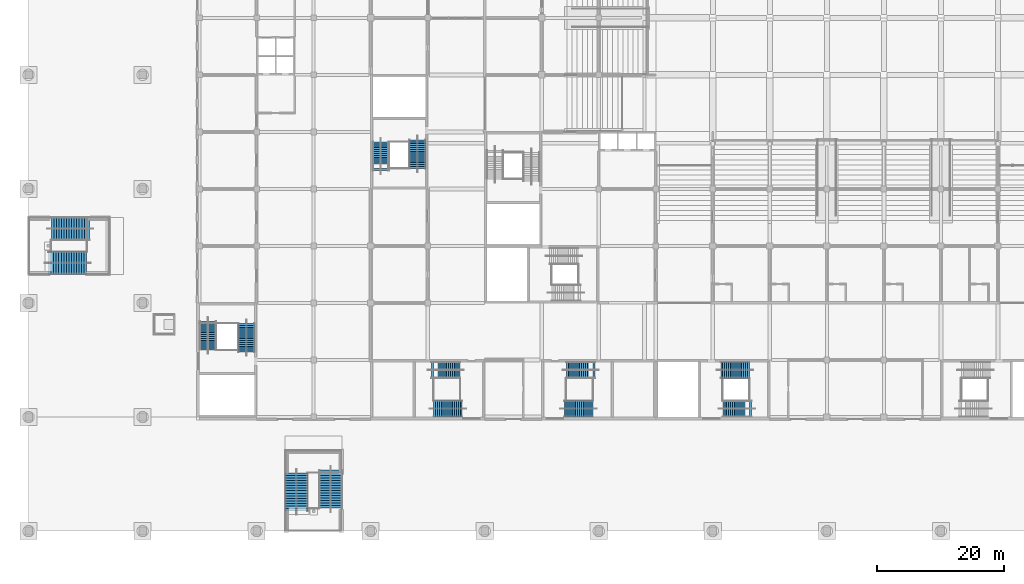
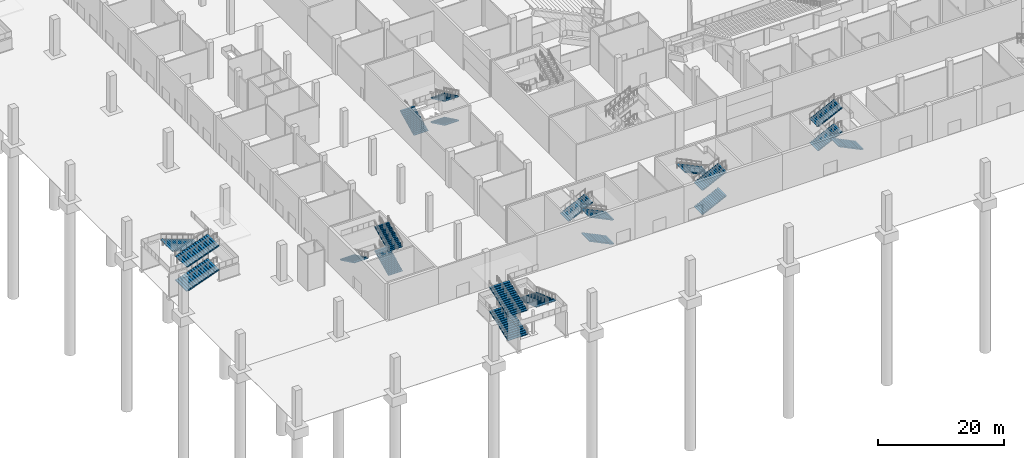
# One storey, part 42 of 92: 21 stair flights, 7 elements without a shape of their own.
"""IFC4 building model written with IfcOpenShell, lengths in metres."""

from ifc_helpers import new_model, si_unit, direction, frame, origin, place, context, subcontext, project, spatial, polyline, outline, extrude, material, type_object, element, aggregate, save


model = new_model("IFC4")

# Units and contexts
model_context = context("Model", 3, precision=1e-05, world=origin(), true_north=direction((0.0, 1.0)))
body_context = subcontext(model_context, "Body", "Model", "MODEL_VIEW")
ifc_project = project(units=[si_unit("LENGTHUNIT", "METRE"), si_unit("AREAUNIT", "SQUARE_METRE"), si_unit("VOLUMEUNIT", "CUBIC_METRE"), si_unit("PLANEANGLEUNIT", "RADIAN"), si_unit("MASSUNIT", "GRAM", prefix="KILO")], contexts=[model_context])

# Site, building, storey
site_placement = place(None, origin())
site = spatial("IfcSite", under=ifc_project, at=site_placement, CompositionType="ELEMENT")
building_placement = place(site_placement, origin())
building = spatial("IfcBuilding", under=site, at=building_placement, Name="Silverbay Arena", CompositionType="ELEMENT")
storey_placement = place(building_placement, origin())
storey = spatial("IfcBuildingStorey", under=building, at=storey_placement, Name="L00", CompositionType="ELEMENT", Elevation=0.0)

# Stair, stair flights
ifc_material_1 = material(Name="Concrete Grade C45", Category="concrete")
stair_type_1 = type_object("IfcStairType", Name="Stair 2600 wide 48 risers 145.8 x 300", PredefinedType="HALF_TURN_STAIR", material=ifc_material_1)
stair_1_placement = place(storey_placement, origin())
stair_1 = element("IfcStair", 1, at=stair_1_placement, inside=storey, type_object=stair_type_1, Name="Stair ST-S1 L00 to L01", PredefinedType="HALF_TURN_STAIR")
ifc_material_2 = material(Name="Concrete Grade C45", Category="concrete")
stair_flight_type_1 = type_object("IfcStairFlightType", Name="Stair flight 2600 wide 16 risers 145.8 x 300", PredefinedType="STRAIGHT", material=ifc_material_2)
stair_flight_1_placement = place(storey_placement, frame((84.556884765625, 19.300048828125, 0.0), z_axis=(0.0, 0.0, 1.0), x_axis=(1.0, 0.0, 0.0)))
stair_flight_1 = element("IfcStairFlight", 2, at=stair_flight_1_placement, type_object=stair_flight_type_1, Name="Stair ST-S1 L00 to L01 flight 1", NumberOfRisers=16, NumberOfTreads=15, PredefinedType="STRAIGHT", RiserHeight=0.145833333, TreadLength=0.3, context=body_context, shape_type="SweptSolid", body=[
    extrude(outline(polyline([(0.0, 0.0), (0.0, 0.145751953125), (0.300048828125, 0.145751953125), (0.300048828125, 0.291748046875), (0.60009765625, 0.291748046875), (0.60009765625, 0.4375), (0.89990234375, 0.4375), (0.89990234375, 0.583251953125), (1.199951171875, 0.583251953125), (1.199951171875, 0.729248046875), (1.5, 0.729248046875), (1.5, 0.875), (1.800048828125, 0.875), (1.800048828125, 1.020751953125), (2.10009765625, 1.020751953125), (2.10009765625, 1.166748046875), (2.39990234375, 1.166748046875), (2.39990234375, 1.3125), (2.699951171875, 1.3125), (2.699951171875, 1.458251953125), (3.0, 1.458251953125), (3.0, 1.604248046875), (3.300048828125, 1.604248046875), (3.300048828125, 1.75), (3.60009765625, 1.75), (3.60009765625, 1.895751953125), (3.89990234375, 1.895751953125), (3.89990234375, 2.041748046875), (4.199951171875, 2.041748046875), (4.199951171875, 2.1875), (4.5, 2.1875), (4.5, 2.020751953125), (0.3427734375, 0.0), (0.0, 0.0)])), frame((0.0, 1.300048828125, 0.0), z_axis=(0.0, -1.0, 0.0), x_axis=(1.0, 0.0, 0.0)), (0.0, 0.0, 1.0), 2.60009765625),
])
stair_flight_2_placement = place(storey_placement, frame((89.39990234375, 25.39990234375, 2.333251953125), z_axis=(0.0, 0.0, 1.0), x_axis=(-1.0, 0.0, 0.0)))
stair_flight_2 = element("IfcStairFlight", 3, at=stair_flight_2_placement, type_object=stair_flight_type_1, Name="Stair ST-S1 L00 to L01 flight 2", NumberOfRisers=16, NumberOfTreads=15, PredefinedType="STRAIGHT", RiserHeight=0.145833333, TreadLength=0.3, context=body_context, shape_type="SweptSolid", body=[
    extrude(outline(polyline([(0.0, 0.0), (0.0, 0.145751953125), (0.300048828125, 0.145751953125), (0.300048828125, 0.291748046875), (0.60009765625, 0.291748046875), (0.60009765625, 0.4375), (0.89990234375, 0.4375), (0.89990234375, 0.583251953125), (1.199951171875, 0.583251953125), (1.199951171875, 0.729248046875), (1.5, 0.729248046875), (1.5, 0.875), (1.800048828125, 0.875), (1.800048828125, 1.020751953125), (2.10009765625, 1.020751953125), (2.10009765625, 1.166748046875), (2.39990234375, 1.166748046875), (2.39990234375, 1.3125), (2.699951171875, 1.3125), (2.699951171875, 1.458251953125), (3.0, 1.458251953125), (3.0, 1.604248046875), (3.300048828125, 1.604248046875), (3.300048828125, 1.75), (3.60009765625, 1.75), (3.60009765625, 1.895751953125), (3.89990234375, 1.895751953125), (3.89990234375, 2.041748046875), (4.199951171875, 2.041748046875), (4.199951171875, 2.1875), (4.5, 2.1875), (4.5, 2.020751953125), (0.3427734375, 0.0), (0.0, 0.0)])), frame((0.0, 1.300048828125, 0.0), z_axis=(0.0, -1.0, 0.0), x_axis=(1.0, 0.0, 0.0)), (0.0, 0.0, 1.0), 2.60009765625),
])
stair_flight_3_placement = place(storey_placement, frame((84.556884765625, 19.300048828125, 4.666748046875), z_axis=(0.0, 0.0, 1.0), x_axis=(1.0, 0.0, 0.0)))
stair_flight_3 = element("IfcStairFlight", 4, at=stair_flight_3_placement, type_object=stair_flight_type_1, Name="Stair ST-S1 L00 to L01 flight 3", NumberOfRisers=16, NumberOfTreads=15, PredefinedType="STRAIGHT", RiserHeight=0.145833333, TreadLength=0.3, context=body_context, shape_type="SweptSolid", body=[
    extrude(outline(polyline([(0.0, 0.0), (0.0, 0.145751953125), (0.300048828125, 0.145751953125), (0.300048828125, 0.291748046875), (0.60009765625, 0.291748046875), (0.60009765625, 0.4375), (0.89990234375, 0.4375), (0.89990234375, 0.583251953125), (1.199951171875, 0.583251953125), (1.199951171875, 0.729248046875), (1.5, 0.729248046875), (1.5, 0.875), (1.800048828125, 0.875), (1.800048828125, 1.020751953125), (2.10009765625, 1.020751953125), (2.10009765625, 1.166748046875), (2.39990234375, 1.166748046875), (2.39990234375, 1.3125), (2.699951171875, 1.3125), (2.699951171875, 1.458251953125), (3.0, 1.458251953125), (3.0, 1.604248046875), (3.300048828125, 1.604248046875), (3.300048828125, 1.75), (3.60009765625, 1.75), (3.60009765625, 1.895751953125), (3.89990234375, 1.895751953125), (3.89990234375, 2.041748046875), (4.199951171875, 2.041748046875), (4.199951171875, 2.1875), (4.5, 2.1875), (4.5, 2.020751953125), (0.3427734375, 0.0), (0.0, 0.0)])), frame((0.0, 1.300048828125, 0.0), z_axis=(0.0, -1.0, 0.0), x_axis=(1.0, 0.0, 0.0)), (0.0, 0.0, 1.0), 2.60009765625),
])
aggregate(stair_1, [stair_flight_1, stair_flight_2, stair_flight_3])

stair_2_placement = place(storey_placement, origin())
stair_2 = element("IfcStair", 5, at=stair_2_placement, inside=storey, type_object=stair_type_1, Name="Stair ST-S2 L00 to L01", PredefinedType="HALF_TURN_STAIR")
stair_flight_4_placement = place(storey_placement, frame((109.2568359375, 25.39990234375, 0.0), z_axis=(0.0, 0.0, 1.0), x_axis=(1.0, 0.0, 0.0)))
stair_flight_4 = element("IfcStairFlight", 6, at=stair_flight_4_placement, type_object=stair_flight_type_1, Name="Stair ST-S2 L00 to L01 flight 1", NumberOfRisers=16, NumberOfTreads=15, PredefinedType="STRAIGHT", RiserHeight=0.145833333, TreadLength=0.3, context=body_context, shape_type="SweptSolid", body=[
    extrude(outline(polyline([(0.0, 0.0), (0.0, 0.145751953125), (0.300048828125, 0.145751953125), (0.300048828125, 0.291748046875), (0.60009765625, 0.291748046875), (0.60009765625, 0.4375), (0.89990234375, 0.4375), (0.89990234375, 0.583251953125), (1.199951171875, 0.583251953125), (1.199951171875, 0.729248046875), (1.5, 0.729248046875), (1.5, 0.875), (1.800048828125, 0.875), (1.800048828125, 1.020751953125), (2.10009765625, 1.020751953125), (2.10009765625, 1.166748046875), (2.39990234375, 1.166748046875), (2.39990234375, 1.3125), (2.699951171875, 1.3125), (2.699951171875, 1.458251953125), (3.0, 1.458251953125), (3.0, 1.604248046875), (3.300048828125, 1.604248046875), (3.300048828125, 1.75), (3.60009765625, 1.75), (3.60009765625, 1.895751953125), (3.89990234375, 1.895751953125), (3.89990234375, 2.041748046875), (4.199951171875, 2.041748046875), (4.199951171875, 2.1875), (4.5, 2.1875), (4.5, 2.020751953125), (0.3427734375, 0.0), (0.0, 0.0)])), frame((0.0, 1.300048828125, 0.0), z_axis=(0.0, -1.0, 0.0), x_axis=(1.0, 0.0, 0.0)), (0.0, 0.0, 1.0), 2.60009765625),
])
stair_flight_5_placement = place(storey_placement, frame((114.10009765625, 19.300048828125, 2.333251953125), z_axis=(0.0, 0.0, 1.0), x_axis=(-1.0, 0.0, 0.0)))
stair_flight_5 = element("IfcStairFlight", 7, at=stair_flight_5_placement, type_object=stair_flight_type_1, Name="Stair ST-S2 L00 to L01 flight 2", NumberOfRisers=16, NumberOfTreads=15, PredefinedType="STRAIGHT", RiserHeight=0.145833333, TreadLength=0.3, context=body_context, shape_type="SweptSolid", body=[
    extrude(outline(polyline([(0.0, 0.0), (0.0, 0.145751953125), (0.300048828125, 0.145751953125), (0.300048828125, 0.291748046875), (0.60009765625, 0.291748046875), (0.60009765625, 0.4375), (0.89990234375, 0.4375), (0.89990234375, 0.583251953125), (1.199951171875, 0.583251953125), (1.199951171875, 0.729248046875), (1.5, 0.729248046875), (1.5, 0.875), (1.800048828125, 0.875), (1.800048828125, 1.020751953125), (2.10009765625, 1.020751953125), (2.10009765625, 1.166748046875), (2.39990234375, 1.166748046875), (2.39990234375, 1.3125), (2.699951171875, 1.3125), (2.699951171875, 1.458251953125), (3.0, 1.458251953125), (3.0, 1.604248046875), (3.300048828125, 1.604248046875), (3.300048828125, 1.75), (3.60009765625, 1.75), (3.60009765625, 1.895751953125), (3.89990234375, 1.895751953125), (3.89990234375, 2.041748046875), (4.199951171875, 2.041748046875), (4.199951171875, 2.1875), (4.5, 2.1875), (4.5, 2.020751953125), (0.3427734375, 0.0), (0.0, 0.0)])), frame((0.0, 1.300048828125, 0.0), z_axis=(0.0, -1.0, 0.0), x_axis=(1.0, 0.0, 0.0)), (0.0, 0.0, 1.0), 2.60009765625),
])
stair_flight_6_placement = place(storey_placement, frame((109.2568359375, 25.39990234375, 4.666748046875), z_axis=(0.0, 0.0, 1.0), x_axis=(1.0, 0.0, 0.0)))
stair_flight_6 = element("IfcStairFlight", 8, at=stair_flight_6_placement, type_object=stair_flight_type_1, Name="Stair ST-S2 L00 to L01 flight 3", NumberOfRisers=16, NumberOfTreads=15, PredefinedType="STRAIGHT", RiserHeight=0.145833333, TreadLength=0.3, context=body_context, shape_type="SweptSolid", body=[
    extrude(outline(polyline([(0.0, 0.0), (0.0, 0.145751953125), (0.300048828125, 0.145751953125), (0.300048828125, 0.291748046875), (0.60009765625, 0.291748046875), (0.60009765625, 0.4375), (0.89990234375, 0.4375), (0.89990234375, 0.583251953125), (1.199951171875, 0.583251953125), (1.199951171875, 0.729248046875), (1.5, 0.729248046875), (1.5, 0.875), (1.800048828125, 0.875), (1.800048828125, 1.020751953125), (2.10009765625, 1.020751953125), (2.10009765625, 1.166748046875), (2.39990234375, 1.166748046875), (2.39990234375, 1.3125), (2.699951171875, 1.3125), (2.699951171875, 1.458251953125), (3.0, 1.458251953125), (3.0, 1.604248046875), (3.300048828125, 1.604248046875), (3.300048828125, 1.75), (3.60009765625, 1.75), (3.60009765625, 1.895751953125), (3.89990234375, 1.895751953125), (3.89990234375, 2.041748046875), (4.199951171875, 2.041748046875), (4.199951171875, 2.1875), (4.5, 2.1875), (4.5, 2.020751953125), (0.3427734375, 0.0), (0.0, 0.0)])), frame((0.0, 1.300048828125, 0.0), z_axis=(0.0, -1.0, 0.0), x_axis=(1.0, 0.0, 0.0)), (0.0, 0.0, 1.0), 2.60009765625),
])
aggregate(stair_2, [stair_flight_4, stair_flight_5, stair_flight_6])

stair_3_placement = place(storey_placement, origin())
stair_3 = element("IfcStair", 9, at=stair_3_placement, inside=storey, type_object=stair_type_1, Name="Stair ST-S5 L00 to L01", PredefinedType="HALF_TURN_STAIR")
stair_flight_7_placement = place(storey_placement, frame((68.443115234375, 19.300048828125, 0.0), z_axis=(0.0, 0.0, 1.0), x_axis=(-1.0, 0.0, 0.0)))
stair_flight_7 = element("IfcStairFlight", 10, at=stair_flight_7_placement, type_object=stair_flight_type_1, Name="Stair ST-S5 L00 to L01 flight 1", NumberOfRisers=16, NumberOfTreads=15, PredefinedType="STRAIGHT", RiserHeight=0.145833333, TreadLength=0.3, context=body_context, shape_type="SweptSolid", body=[
    extrude(outline(polyline([(0.0, 0.0), (0.0, 0.145751953125), (0.300048828125, 0.145751953125), (0.300048828125, 0.291748046875), (0.60009765625, 0.291748046875), (0.60009765625, 0.4375), (0.89990234375, 0.4375), (0.89990234375, 0.583251953125), (1.199951171875, 0.583251953125), (1.199951171875, 0.729248046875), (1.5, 0.729248046875), (1.5, 0.875), (1.800048828125, 0.875), (1.800048828125, 1.020751953125), (2.10009765625, 1.020751953125), (2.10009765625, 1.166748046875), (2.39990234375, 1.166748046875), (2.39990234375, 1.3125), (2.699951171875, 1.3125), (2.699951171875, 1.458251953125), (3.0, 1.458251953125), (3.0, 1.604248046875), (3.300048828125, 1.604248046875), (3.300048828125, 1.75), (3.60009765625, 1.75), (3.60009765625, 1.895751953125), (3.89990234375, 1.895751953125), (3.89990234375, 2.041748046875), (4.199951171875, 2.041748046875), (4.199951171875, 2.1875), (4.5, 2.1875), (4.5, 2.020751953125), (0.3427734375, 0.0), (0.0, 0.0)])), frame((0.0, 1.300048828125, 0.0), z_axis=(0.0, -1.0, 0.0), x_axis=(1.0, 0.0, 0.0)), (0.0, 0.0, 1.0), 2.60009765625),
])
stair_flight_8_placement = place(storey_placement, frame((63.60009765625, 25.39990234375, 2.333251953125), z_axis=(0.0, 0.0, 1.0), x_axis=(1.0, 0.0, 0.0)))
stair_flight_8 = element("IfcStairFlight", 11, at=stair_flight_8_placement, type_object=stair_flight_type_1, Name="Stair ST-S5 L00 to L01 flight 2", NumberOfRisers=16, NumberOfTreads=15, PredefinedType="STRAIGHT", RiserHeight=0.145833333, TreadLength=0.3, context=body_context, shape_type="SweptSolid", body=[
    extrude(outline(polyline([(0.0, 0.0), (0.0, 0.145751953125), (0.300048828125, 0.145751953125), (0.300048828125, 0.291748046875), (0.60009765625, 0.291748046875), (0.60009765625, 0.4375), (0.89990234375, 0.4375), (0.89990234375, 0.583251953125), (1.199951171875, 0.583251953125), (1.199951171875, 0.729248046875), (1.5, 0.729248046875), (1.5, 0.875), (1.800048828125, 0.875), (1.800048828125, 1.020751953125), (2.10009765625, 1.020751953125), (2.10009765625, 1.166748046875), (2.39990234375, 1.166748046875), (2.39990234375, 1.3125), (2.699951171875, 1.3125), (2.699951171875, 1.458251953125), (3.0, 1.458251953125), (3.0, 1.604248046875), (3.300048828125, 1.604248046875), (3.300048828125, 1.75), (3.60009765625, 1.75), (3.60009765625, 1.895751953125), (3.89990234375, 1.895751953125), (3.89990234375, 2.041748046875), (4.199951171875, 2.041748046875), (4.199951171875, 2.1875), (4.5, 2.1875), (4.5, 2.020751953125), (0.3427734375, 0.0), (0.0, 0.0)])), frame((0.0, 1.300048828125, 0.0), z_axis=(0.0, -1.0, 0.0), x_axis=(1.0, 0.0, 0.0)), (0.0, 0.0, 1.0), 2.60009765625),
])
stair_flight_9_placement = place(storey_placement, frame((68.443115234375, 19.300048828125, 4.666748046875), z_axis=(0.0, 0.0, 1.0), x_axis=(-1.0, 0.0, 0.0)))
stair_flight_9 = element("IfcStairFlight", 12, at=stair_flight_9_placement, type_object=stair_flight_type_1, Name="Stair ST-S5 L00 to L01 flight 3", NumberOfRisers=16, NumberOfTreads=15, PredefinedType="STRAIGHT", RiserHeight=0.145833333, TreadLength=0.3, context=body_context, shape_type="SweptSolid", body=[
    extrude(outline(polyline([(0.0, 0.0), (0.0, 0.145751953125), (0.300048828125, 0.145751953125), (0.300048828125, 0.291748046875), (0.60009765625, 0.291748046875), (0.60009765625, 0.4375), (0.89990234375, 0.4375), (0.89990234375, 0.583251953125), (1.199951171875, 0.583251953125), (1.199951171875, 0.729248046875), (1.5, 0.729248046875), (1.5, 0.875), (1.800048828125, 0.875), (1.800048828125, 1.020751953125), (2.10009765625, 1.020751953125), (2.10009765625, 1.166748046875), (2.39990234375, 1.166748046875), (2.39990234375, 1.3125), (2.699951171875, 1.3125), (2.699951171875, 1.458251953125), (3.0, 1.458251953125), (3.0, 1.604248046875), (3.300048828125, 1.604248046875), (3.300048828125, 1.75), (3.60009765625, 1.75), (3.60009765625, 1.895751953125), (3.89990234375, 1.895751953125), (3.89990234375, 2.041748046875), (4.199951171875, 2.041748046875), (4.199951171875, 2.1875), (4.5, 2.1875), (4.5, 2.020751953125), (0.3427734375, 0.0), (0.0, 0.0)])), frame((0.0, 1.300048828125, 0.0), z_axis=(0.0, -1.0, 0.0), x_axis=(1.0, 0.0, 0.0)), (0.0, 0.0, 1.0), 2.60009765625),
])
aggregate(stair_3, [stair_flight_7, stair_flight_8, stair_flight_9])

stair_4_placement = place(storey_placement, origin())
stair_4 = element("IfcStair", 13, at=stair_4_placement, inside=storey, type_object=stair_type_1, Name="Stair ST-W1 L00 to L01", PredefinedType="HALF_TURN_STAIR")
stair_flight_10_placement = place(storey_placement, frame((61.39990234375, 61.7431640625, 0.0), z_axis=(0.0, 0.0, 1.0), x_axis=(0.0, -1.0, 0.0)))
stair_flight_10 = element("IfcStairFlight", 14, at=stair_flight_10_placement, type_object=stair_flight_type_1, Name="Stair ST-W1 L00 to L01 flight 1", NumberOfRisers=16, NumberOfTreads=15, PredefinedType="STRAIGHT", RiserHeight=0.145833333, TreadLength=0.3, context=body_context, shape_type="SweptSolid", body=[
    extrude(outline(polyline([(0.0, 0.0), (0.0, 0.145751953125), (0.300048828125, 0.145751953125), (0.300048828125, 0.291748046875), (0.60009765625, 0.291748046875), (0.60009765625, 0.4375), (0.89990234375, 0.4375), (0.89990234375, 0.583251953125), (1.199951171875, 0.583251953125), (1.199951171875, 0.729248046875), (1.5, 0.729248046875), (1.5, 0.875), (1.800048828125, 0.875), (1.800048828125, 1.020751953125), (2.10009765625, 1.020751953125), (2.10009765625, 1.166748046875), (2.39990234375, 1.166748046875), (2.39990234375, 1.3125), (2.699951171875, 1.3125), (2.699951171875, 1.458251953125), (3.0, 1.458251953125), (3.0, 1.604248046875), (3.300048828125, 1.604248046875), (3.300048828125, 1.75), (3.60009765625, 1.75), (3.60009765625, 1.895751953125), (3.89990234375, 1.895751953125), (3.89990234375, 2.041748046875), (4.199951171875, 2.041748046875), (4.199951171875, 2.1875), (4.5, 2.1875), (4.5, 2.020751953125), (0.3427734375, 0.0), (0.0, 0.0)])), frame((0.0, 1.300048828125, 0.0), z_axis=(0.0, -1.0, 0.0), x_axis=(1.0, 0.0, 0.0)), (0.0, 0.0, 1.0), 2.60009765625),
])
stair_flight_11_placement = place(storey_placement, frame((55.60009765625, 56.89990234375, 2.333251953125), z_axis=(0.0, 0.0, 1.0), x_axis=(0.0, 1.0, 0.0)))
stair_flight_11 = element("IfcStairFlight", 15, at=stair_flight_11_placement, type_object=stair_flight_type_1, Name="Stair ST-W1 L00 to L01 flight 2", NumberOfRisers=16, NumberOfTreads=15, PredefinedType="STRAIGHT", RiserHeight=0.145833333, TreadLength=0.3, context=body_context, shape_type="SweptSolid", body=[
    extrude(outline(polyline([(0.0, 0.0), (0.0, 0.145751953125), (0.300048828125, 0.145751953125), (0.300048828125, 0.291748046875), (0.60009765625, 0.291748046875), (0.60009765625, 0.4375), (0.89990234375, 0.4375), (0.89990234375, 0.583251953125), (1.199951171875, 0.583251953125), (1.199951171875, 0.729248046875), (1.5, 0.729248046875), (1.5, 0.875), (1.800048828125, 0.875), (1.800048828125, 1.020751953125), (2.10009765625, 1.020751953125), (2.10009765625, 1.166748046875), (2.39990234375, 1.166748046875), (2.39990234375, 1.3125), (2.699951171875, 1.3125), (2.699951171875, 1.458251953125), (3.0, 1.458251953125), (3.0, 1.604248046875), (3.300048828125, 1.604248046875), (3.300048828125, 1.75), (3.60009765625, 1.75), (3.60009765625, 1.895751953125), (3.89990234375, 1.895751953125), (3.89990234375, 2.041748046875), (4.199951171875, 2.041748046875), (4.199951171875, 2.1875), (4.5, 2.1875), (4.5, 2.020751953125), (0.3427734375, 0.0), (0.0, 0.0)])), frame((0.0, 1.300048828125, 0.0), z_axis=(0.0, -1.0, 0.0), x_axis=(1.0, 0.0, 0.0)), (0.0, 0.0, 1.0), 2.60009765625),
])
stair_flight_12_placement = place(storey_placement, frame((61.39990234375, 61.7431640625, 4.666748046875), z_axis=(0.0, 0.0, 1.0), x_axis=(0.0, -1.0, 0.0)))
stair_flight_12 = element("IfcStairFlight", 16, at=stair_flight_12_placement, type_object=stair_flight_type_1, Name="Stair ST-W1 L00 to L01 flight 3", NumberOfRisers=16, NumberOfTreads=15, PredefinedType="STRAIGHT", RiserHeight=0.145833333, TreadLength=0.3, context=body_context, shape_type="SweptSolid", body=[
    extrude(outline(polyline([(0.0, 0.0), (0.0, 0.145751953125), (0.300048828125, 0.145751953125), (0.300048828125, 0.291748046875), (0.60009765625, 0.291748046875), (0.60009765625, 0.4375), (0.89990234375, 0.4375), (0.89990234375, 0.583251953125), (1.199951171875, 0.583251953125), (1.199951171875, 0.729248046875), (1.5, 0.729248046875), (1.5, 0.875), (1.800048828125, 0.875), (1.800048828125, 1.020751953125), (2.10009765625, 1.020751953125), (2.10009765625, 1.166748046875), (2.39990234375, 1.166748046875), (2.39990234375, 1.3125), (2.699951171875, 1.3125), (2.699951171875, 1.458251953125), (3.0, 1.458251953125), (3.0, 1.604248046875), (3.300048828125, 1.604248046875), (3.300048828125, 1.75), (3.60009765625, 1.75), (3.60009765625, 1.895751953125), (3.89990234375, 1.895751953125), (3.89990234375, 2.041748046875), (4.199951171875, 2.041748046875), (4.199951171875, 2.1875), (4.5, 2.1875), (4.5, 2.020751953125), (0.3427734375, 0.0), (0.0, 0.0)])), frame((0.0, 1.300048828125, 0.0), z_axis=(0.0, -1.0, 0.0), x_axis=(1.0, 0.0, 0.0)), (0.0, 0.0, 1.0), 2.60009765625),
])
aggregate(stair_4, [stair_flight_10, stair_flight_11, stair_flight_12])

stair_5_placement = place(storey_placement, origin())
stair_5 = element("IfcStair", 17, at=stair_5_placement, inside=storey, type_object=stair_type_1, Name="Stair ST-WG1 L00 to L01", PredefinedType="HALF_TURN_STAIR")
stair_flight_13_placement = place(storey_placement, frame((34.39990234375, 28.2568359375, 0.0), z_axis=(0.0, 0.0, 1.0), x_axis=(0.0, 1.0, 0.0)))
stair_flight_13 = element("IfcStairFlight", 18, at=stair_flight_13_placement, type_object=stair_flight_type_1, Name="Stair ST-WG1 L00 to L01 flight 1", NumberOfRisers=16, NumberOfTreads=15, PredefinedType="STRAIGHT", RiserHeight=0.145833333, TreadLength=0.3, context=body_context, shape_type="SweptSolid", body=[
    extrude(outline(polyline([(0.0, 0.0), (0.0, 0.145751953125), (0.300048828125, 0.145751953125), (0.300048828125, 0.291748046875), (0.60009765625, 0.291748046875), (0.60009765625, 0.4375), (0.89990234375, 0.4375), (0.89990234375, 0.583251953125), (1.199951171875, 0.583251953125), (1.199951171875, 0.729248046875), (1.5, 0.729248046875), (1.5, 0.875), (1.800048828125, 0.875), (1.800048828125, 1.020751953125), (2.10009765625, 1.020751953125), (2.10009765625, 1.166748046875), (2.39990234375, 1.166748046875), (2.39990234375, 1.3125), (2.699951171875, 1.3125), (2.699951171875, 1.458251953125), (3.0, 1.458251953125), (3.0, 1.604248046875), (3.300048828125, 1.604248046875), (3.300048828125, 1.75), (3.60009765625, 1.75), (3.60009765625, 1.895751953125), (3.89990234375, 1.895751953125), (3.89990234375, 2.041748046875), (4.199951171875, 2.041748046875), (4.199951171875, 2.1875), (4.5, 2.1875), (4.5, 2.020751953125), (0.3427734375, 0.0), (0.0, 0.0)])), frame((0.0, 1.300048828125, 0.0), z_axis=(0.0, -1.0, 0.0), x_axis=(1.0, 0.0, 0.0)), (0.0, 0.0, 1.0), 2.60009765625),
])
stair_flight_14_placement = place(storey_placement, frame((28.300048828125, 33.10009765625, 2.333251953125), z_axis=(0.0, 0.0, 1.0), x_axis=(0.0, -1.0, 0.0)))
stair_flight_14 = element("IfcStairFlight", 19, at=stair_flight_14_placement, type_object=stair_flight_type_1, Name="Stair ST-WG1 L00 to L01 flight 2", NumberOfRisers=16, NumberOfTreads=15, PredefinedType="STRAIGHT", RiserHeight=0.145833333, TreadLength=0.3, context=body_context, shape_type="SweptSolid", body=[
    extrude(outline(polyline([(0.0, 0.0), (0.0, 0.145751953125), (0.300048828125, 0.145751953125), (0.300048828125, 0.291748046875), (0.60009765625, 0.291748046875), (0.60009765625, 0.4375), (0.89990234375, 0.4375), (0.89990234375, 0.583251953125), (1.199951171875, 0.583251953125), (1.199951171875, 0.729248046875), (1.5, 0.729248046875), (1.5, 0.875), (1.800048828125, 0.875), (1.800048828125, 1.020751953125), (2.10009765625, 1.020751953125), (2.10009765625, 1.166748046875), (2.39990234375, 1.166748046875), (2.39990234375, 1.3125), (2.699951171875, 1.3125), (2.699951171875, 1.458251953125), (3.0, 1.458251953125), (3.0, 1.604248046875), (3.300048828125, 1.604248046875), (3.300048828125, 1.75), (3.60009765625, 1.75), (3.60009765625, 1.895751953125), (3.89990234375, 1.895751953125), (3.89990234375, 2.041748046875), (4.199951171875, 2.041748046875), (4.199951171875, 2.1875), (4.5, 2.1875), (4.5, 2.020751953125), (0.3427734375, 0.0), (0.0, 0.0)])), frame((0.0, 1.300048828125, 0.0), z_axis=(0.0, -1.0, 0.0), x_axis=(1.0, 0.0, 0.0)), (0.0, 0.0, 1.0), 2.60009765625),
])
stair_flight_15_placement = place(storey_placement, frame((34.39990234375, 28.2568359375, 4.666748046875), z_axis=(0.0, 0.0, 1.0), x_axis=(0.0, 1.0, 0.0)))
stair_flight_15 = element("IfcStairFlight", 20, at=stair_flight_15_placement, type_object=stair_flight_type_1, Name="Stair ST-WG1 L00 to L01 flight 3", NumberOfRisers=16, NumberOfTreads=15, PredefinedType="STRAIGHT", RiserHeight=0.145833333, TreadLength=0.3, context=body_context, shape_type="SweptSolid", body=[
    extrude(outline(polyline([(0.0, 0.0), (0.0, 0.145751953125), (0.300048828125, 0.145751953125), (0.300048828125, 0.291748046875), (0.60009765625, 0.291748046875), (0.60009765625, 0.4375), (0.89990234375, 0.4375), (0.89990234375, 0.583251953125), (1.199951171875, 0.583251953125), (1.199951171875, 0.729248046875), (1.5, 0.729248046875), (1.5, 0.875), (1.800048828125, 0.875), (1.800048828125, 1.020751953125), (2.10009765625, 1.020751953125), (2.10009765625, 1.166748046875), (2.39990234375, 1.166748046875), (2.39990234375, 1.3125), (2.699951171875, 1.3125), (2.699951171875, 1.458251953125), (3.0, 1.458251953125), (3.0, 1.604248046875), (3.300048828125, 1.604248046875), (3.300048828125, 1.75), (3.60009765625, 1.75), (3.60009765625, 1.895751953125), (3.89990234375, 1.895751953125), (3.89990234375, 2.041748046875), (4.199951171875, 2.041748046875), (4.199951171875, 2.1875), (4.5, 2.1875), (4.5, 2.020751953125), (0.3427734375, 0.0), (0.0, 0.0)])), frame((0.0, 1.300048828125, 0.0), z_axis=(0.0, -1.0, 0.0), x_axis=(1.0, 0.0, 0.0)), (0.0, 0.0, 1.0), 2.60009765625),
])
aggregate(stair_5, [stair_flight_13, stair_flight_14, stair_flight_15])

ifc_material_3 = material(Name="Concrete Grade C45", Category="concrete")
stair_type_2 = type_object("IfcStairType", Name="Stair 3600 wide 48 risers 145.8 x 400", PredefinedType="HALF_TURN_STAIR", material=ifc_material_3)
stair_6_placement = place(storey_placement, origin())
stair_6 = element("IfcStair", 21, at=stair_6_placement, inside=storey, type_object=stair_type_2, Name="Deck stair DS1", PredefinedType="HALF_TURN_STAIR")
ifc_material_4 = material(Name="Concrete Grade C45", Category="concrete")
stair_flight_type_2 = type_object("IfcStairFlightType", Name="Stair flight 3600 wide 16 risers 145.8 x 400", PredefinedType="STRAIGHT", material=ifc_material_4)
stair_flight_16_placement = place(storey_placement, frame((3.162109375, 42.300048828125, 0.0), z_axis=(0.0, 0.0, 1.0), x_axis=(1.0, 0.0, 0.0)))
stair_flight_16 = element("IfcStairFlight", 22, at=stair_flight_16_placement, type_object=stair_flight_type_2, Name="Deck stair DS1 flight 1", NumberOfRisers=16, NumberOfTreads=15, PredefinedType="STRAIGHT", RiserHeight=0.145833333, TreadLength=0.4, context=body_context, shape_type="SweptSolid", body=[
    extrude(outline(polyline([(0.0, 0.0), (0.0, 0.145751953125), (0.39990234375, 0.145751953125), (0.39990234375, 0.291748046875), (0.800048828125, 0.291748046875), (0.800048828125, 0.4375), (1.199951171875, 0.4375), (1.199951171875, 0.583251953125), (1.60009765625, 0.583251953125), (1.60009765625, 0.729248046875), (2.0, 0.729248046875), (2.0, 0.875), (2.39990234375, 0.875), (2.39990234375, 1.020751953125), (2.800048828125, 1.020751953125), (2.800048828125, 1.166748046875), (3.199951171875, 1.166748046875), (3.199951171875, 1.3125), (3.60009765625, 1.3125), (3.60009765625, 1.458251953125), (4.0, 1.458251953125), (4.0, 1.604248046875), (4.39990234375, 1.604248046875), (4.39990234375, 1.75), (4.800048828125, 1.75), (4.800048828125, 1.895751953125), (5.199951171875, 1.895751953125), (5.199951171875, 2.041748046875), (5.60009765625, 2.041748046875), (5.60009765625, 2.1875), (6.0, 2.1875), (6.0, 2.02783203125), (0.437744140625, 0.0), (0.0, 0.0)])), frame((0.0, 1.800048828125, 0.0), z_axis=(0.0, -1.0, 0.0), x_axis=(1.0, 0.0, 0.0)), (0.0, 0.0, 1.0), 3.60009765625),
])
stair_flight_17_placement = place(storey_placement, frame((9.60009765625, 47.699951171875, 2.333251953125), z_axis=(0.0, 0.0, 1.0), x_axis=(-1.0, 0.0, 0.0)))
stair_flight_17 = element("IfcStairFlight", 23, at=stair_flight_17_placement, type_object=stair_flight_type_2, Name="Deck stair DS1 flight 2", NumberOfRisers=16, NumberOfTreads=15, PredefinedType="STRAIGHT", RiserHeight=0.145833333, TreadLength=0.4, context=body_context, shape_type="SweptSolid", body=[
    extrude(outline(polyline([(0.0, 0.0), (0.0, 0.145751953125), (0.39990234375, 0.145751953125), (0.39990234375, 0.291748046875), (0.800048828125, 0.291748046875), (0.800048828125, 0.4375), (1.199951171875, 0.4375), (1.199951171875, 0.583251953125), (1.60009765625, 0.583251953125), (1.60009765625, 0.729248046875), (2.0, 0.729248046875), (2.0, 0.875), (2.39990234375, 0.875), (2.39990234375, 1.020751953125), (2.800048828125, 1.020751953125), (2.800048828125, 1.166748046875), (3.199951171875, 1.166748046875), (3.199951171875, 1.3125), (3.60009765625, 1.3125), (3.60009765625, 1.458251953125), (4.0, 1.458251953125), (4.0, 1.604248046875), (4.39990234375, 1.604248046875), (4.39990234375, 1.75), (4.800048828125, 1.75), (4.800048828125, 1.895751953125), (5.199951171875, 1.895751953125), (5.199951171875, 2.041748046875), (5.60009765625, 2.041748046875), (5.60009765625, 2.1875), (6.0, 2.1875), (6.0, 2.02783203125), (0.437744140625, 0.0), (0.0, 0.0)])), frame((0.0, 1.800048828125, 0.0), z_axis=(0.0, -1.0, 0.0), x_axis=(1.0, 0.0, 0.0)), (0.0, 0.0, 1.0), 3.60009765625),
])
stair_flight_18_placement = place(storey_placement, frame((3.162109375, 42.300048828125, 4.666748046875), z_axis=(0.0, 0.0, 1.0), x_axis=(1.0, 0.0, 0.0)))
stair_flight_18 = element("IfcStairFlight", 24, at=stair_flight_18_placement, type_object=stair_flight_type_2, Name="Deck stair DS1 flight 3", NumberOfRisers=16, NumberOfTreads=15, PredefinedType="STRAIGHT", RiserHeight=0.145833333, TreadLength=0.4, context=body_context, shape_type="SweptSolid", body=[
    extrude(outline(polyline([(0.0, 0.0), (0.0, 0.145751953125), (0.39990234375, 0.145751953125), (0.39990234375, 0.291748046875), (0.800048828125, 0.291748046875), (0.800048828125, 0.4375), (1.199951171875, 0.4375), (1.199951171875, 0.583251953125), (1.60009765625, 0.583251953125), (1.60009765625, 0.729248046875), (2.0, 0.729248046875), (2.0, 0.875), (2.39990234375, 0.875), (2.39990234375, 1.020751953125), (2.800048828125, 1.020751953125), (2.800048828125, 1.166748046875), (3.199951171875, 1.166748046875), (3.199951171875, 1.3125), (3.60009765625, 1.3125), (3.60009765625, 1.458251953125), (4.0, 1.458251953125), (4.0, 1.604248046875), (4.39990234375, 1.604248046875), (4.39990234375, 1.75), (4.800048828125, 1.75), (4.800048828125, 1.895751953125), (5.199951171875, 1.895751953125), (5.199951171875, 2.041748046875), (5.60009765625, 2.041748046875), (5.60009765625, 2.1875), (6.0, 2.1875), (6.0, 2.02783203125), (0.437744140625, 0.0), (0.0, 0.0)])), frame((0.0, 1.800048828125, 0.0), z_axis=(0.0, -1.0, 0.0), x_axis=(1.0, 0.0, 0.0)), (0.0, 0.0, 1.0), 3.60009765625),
])
aggregate(stair_6, [stair_flight_16, stair_flight_17, stair_flight_18])

stair_7_placement = place(storey_placement, origin())
stair_7 = element("IfcStair", 25, at=stair_7_placement, inside=storey, type_object=stair_type_2, Name="Deck stair DS3", PredefinedType="HALF_TURN_STAIR")
stair_flight_19_placement = place(storey_placement, frame((42.300048828125, 3.162109375, 0.0), z_axis=(0.0, 0.0, 1.0), x_axis=(0.0, 1.0, 0.0)))
stair_flight_19 = element("IfcStairFlight", 26, at=stair_flight_19_placement, type_object=stair_flight_type_2, Name="Deck stair DS3 flight 1", NumberOfRisers=16, NumberOfTreads=15, PredefinedType="STRAIGHT", RiserHeight=0.145833333, TreadLength=0.4, context=body_context, shape_type="SweptSolid", body=[
    extrude(outline(polyline([(0.0, 0.0), (0.0, 0.145751953125), (0.39990234375, 0.145751953125), (0.39990234375, 0.291748046875), (0.800048828125, 0.291748046875), (0.800048828125, 0.4375), (1.199951171875, 0.4375), (1.199951171875, 0.583251953125), (1.60009765625, 0.583251953125), (1.60009765625, 0.729248046875), (2.0, 0.729248046875), (2.0, 0.875), (2.39990234375, 0.875), (2.39990234375, 1.020751953125), (2.800048828125, 1.020751953125), (2.800048828125, 1.166748046875), (3.199951171875, 1.166748046875), (3.199951171875, 1.3125), (3.60009765625, 1.3125), (3.60009765625, 1.458251953125), (4.0, 1.458251953125), (4.0, 1.604248046875), (4.39990234375, 1.604248046875), (4.39990234375, 1.75), (4.800048828125, 1.75), (4.800048828125, 1.895751953125), (5.199951171875, 1.895751953125), (5.199951171875, 2.041748046875), (5.60009765625, 2.041748046875), (5.60009765625, 2.1875), (6.0, 2.1875), (6.0, 2.02783203125), (0.437744140625, 0.0), (0.0, 0.0)])), frame((0.0, 1.800048828125, 0.0), z_axis=(0.0, -1.0, 0.0), x_axis=(1.0, 0.0, 0.0)), (0.0, 0.0, 1.0), 3.60009765625),
])
stair_flight_20_placement = place(storey_placement, frame((47.699951171875, 9.60009765625, 2.333251953125), z_axis=(0.0, 0.0, 1.0), x_axis=(0.0, -1.0, 0.0)))
stair_flight_20 = element("IfcStairFlight", 27, at=stair_flight_20_placement, type_object=stair_flight_type_2, Name="Deck stair DS3 flight 2", NumberOfRisers=16, NumberOfTreads=15, PredefinedType="STRAIGHT", RiserHeight=0.145833333, TreadLength=0.4, context=body_context, shape_type="SweptSolid", body=[
    extrude(outline(polyline([(0.0, 0.0), (0.0, 0.145751953125), (0.39990234375, 0.145751953125), (0.39990234375, 0.291748046875), (0.800048828125, 0.291748046875), (0.800048828125, 0.4375), (1.199951171875, 0.4375), (1.199951171875, 0.583251953125), (1.60009765625, 0.583251953125), (1.60009765625, 0.729248046875), (2.0, 0.729248046875), (2.0, 0.875), (2.39990234375, 0.875), (2.39990234375, 1.020751953125), (2.800048828125, 1.020751953125), (2.800048828125, 1.166748046875), (3.199951171875, 1.166748046875), (3.199951171875, 1.3125), (3.60009765625, 1.3125), (3.60009765625, 1.458251953125), (4.0, 1.458251953125), (4.0, 1.604248046875), (4.39990234375, 1.604248046875), (4.39990234375, 1.75), (4.800048828125, 1.75), (4.800048828125, 1.895751953125), (5.199951171875, 1.895751953125), (5.199951171875, 2.041748046875), (5.60009765625, 2.041748046875), (5.60009765625, 2.1875), (6.0, 2.1875), (6.0, 2.02783203125), (0.437744140625, 0.0), (0.0, 0.0)])), frame((0.0, 1.800048828125, 0.0), z_axis=(0.0, -1.0, 0.0), x_axis=(1.0, 0.0, 0.0)), (0.0, 0.0, 1.0), 3.60009765625),
])
stair_flight_21_placement = place(storey_placement, frame((42.300048828125, 3.162109375, 4.666748046875), z_axis=(0.0, 0.0, 1.0), x_axis=(0.0, 1.0, 0.0)))
stair_flight_21 = element("IfcStairFlight", 28, at=stair_flight_21_placement, type_object=stair_flight_type_2, Name="Deck stair DS3 flight 3", NumberOfRisers=16, NumberOfTreads=15, PredefinedType="STRAIGHT", RiserHeight=0.145833333, TreadLength=0.4, context=body_context, shape_type="SweptSolid", body=[
    extrude(outline(polyline([(0.0, 0.0), (0.0, 0.145751953125), (0.39990234375, 0.145751953125), (0.39990234375, 0.291748046875), (0.800048828125, 0.291748046875), (0.800048828125, 0.4375), (1.199951171875, 0.4375), (1.199951171875, 0.583251953125), (1.60009765625, 0.583251953125), (1.60009765625, 0.729248046875), (2.0, 0.729248046875), (2.0, 0.875), (2.39990234375, 0.875), (2.39990234375, 1.020751953125), (2.800048828125, 1.020751953125), (2.800048828125, 1.166748046875), (3.199951171875, 1.166748046875), (3.199951171875, 1.3125), (3.60009765625, 1.3125), (3.60009765625, 1.458251953125), (4.0, 1.458251953125), (4.0, 1.604248046875), (4.39990234375, 1.604248046875), (4.39990234375, 1.75), (4.800048828125, 1.75), (4.800048828125, 1.895751953125), (5.199951171875, 1.895751953125), (5.199951171875, 2.041748046875), (5.60009765625, 2.041748046875), (5.60009765625, 2.1875), (6.0, 2.1875), (6.0, 2.02783203125), (0.437744140625, 0.0), (0.0, 0.0)])), frame((0.0, 1.800048828125, 0.0), z_axis=(0.0, -1.0, 0.0), x_axis=(1.0, 0.0, 0.0)), (0.0, 0.0, 1.0), 3.60009765625),
])
aggregate(stair_7, [stair_flight_19, stair_flight_20, stair_flight_21])

save(model, "model.ifc")
